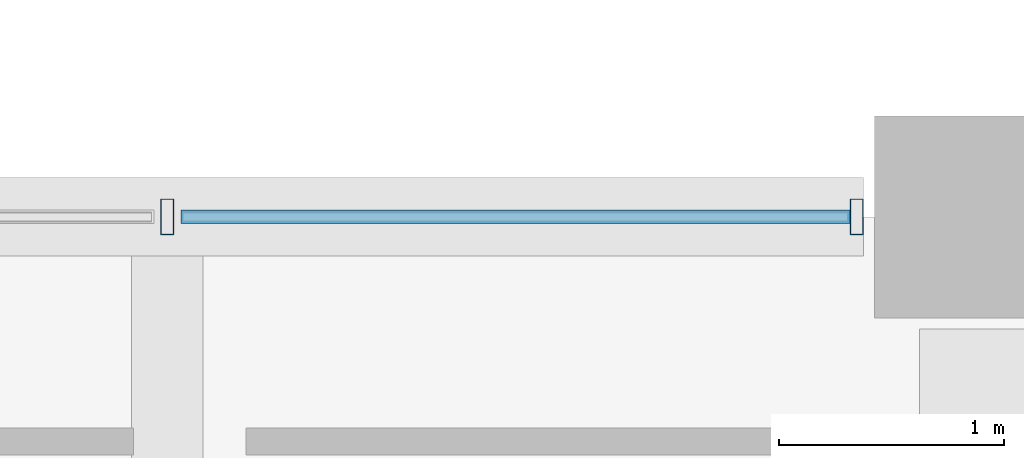
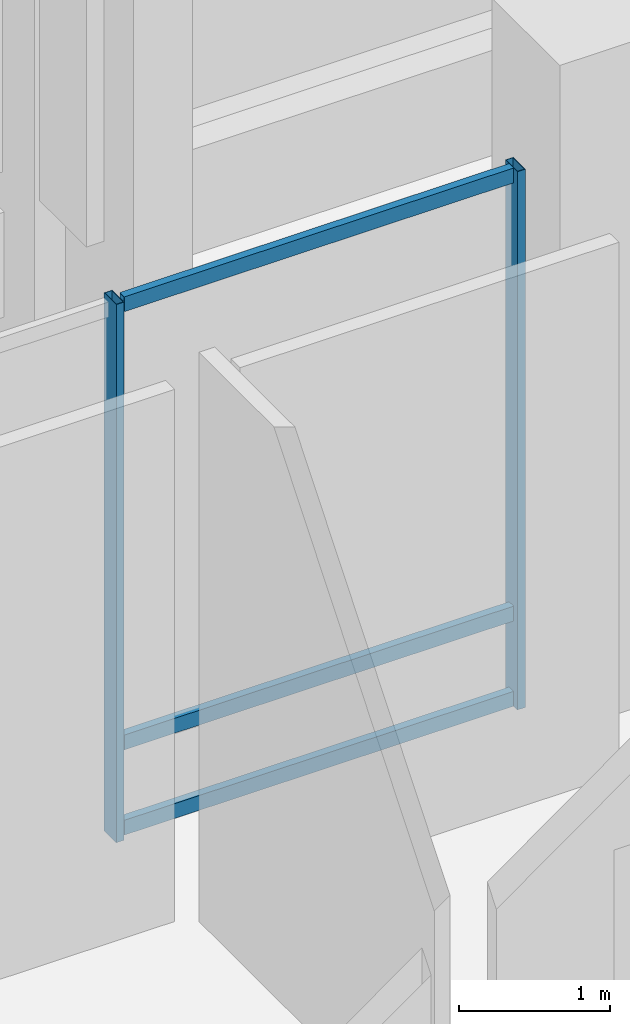
# One storey, part 103 of 192: 5 members, 1 element without a shape of its own.
"""IFC4 building model written with IfcOpenShell, lengths in metres."""

from ifc_helpers import new_model, si_unit, direction, frame, origin, origin_2d, place, context, subcontext, project, spatial, hollow_rectangle, extrude, material, material_profile, profile_set, type_object, element, aggregate, save


model = new_model("IFC4")

# Units and contexts
model_context = context("Model", 3, precision=1e-05, world=origin(), true_north=direction((0.0, 1.0)))
body_context = subcontext(model_context, "Body", "Model", "MODEL_VIEW")
ifc_project = project(units=[si_unit("LENGTHUNIT", "METRE"), si_unit("AREAUNIT", "SQUARE_METRE"), si_unit("VOLUMEUNIT", "CUBIC_METRE"), si_unit("PLANEANGLEUNIT", "RADIAN"), si_unit("MASSUNIT", "GRAM", prefix="KILO")], contexts=[model_context])

# Site, building, storey
site_placement = place(None, origin())
site = spatial("IfcSite", under=ifc_project, at=site_placement, CompositionType="ELEMENT")
building_placement = place(site_placement, origin())
building = spatial("IfcBuilding", under=site, at=building_placement, Name="Cendralis Lancet Convention Centre", CompositionType="ELEMENT")
storey_placement = place(building_placement, origin())
storey = spatial("IfcBuildingStorey", under=building, at=storey_placement, Name="L00", CompositionType="ELEMENT", Elevation=0.0)

# Curtain wall, members
ifc_material = material(Name="Anodised bronze architectural aluminium", Category="aluminium")
curtain_wall_type = type_object("IfcCurtainWallType", Name="ARC-CW-CL01", PredefinedType="USERDEFINED", material=ifc_material)
curtain_wall_placement = place(storey_placement, origin())
curtain_wall = element("IfcCurtainWall", 1, at=curtain_wall_placement, inside=storey, type_object=curtain_wall_type, Name="L00 Curtain Wall CW-CL1 #181", ObjectType="CURTAIN WALL", PredefinedType="USERDEFINED")
ifc_material_profile_1 = material_profile(ifc_material, hollow_rectangle(XDim=0.06005859375, YDim=0.159912109375, WallThickness=0.00390625, at=origin_2d()), Name="AL-MULL 60x160x4.0")
ifc_profile_set_1 = profile_set([ifc_material_profile_1], Name="Anodised bronze architectural aluminium")
member_type_1 = type_object("IfcMemberType", Name="ARC-CW-ML01", PredefinedType="MULLION", material=ifc_profile_set_1)
member_1_placement = place(storey_placement, frame((193.199951171875, 36.0, 0.0), z_axis=(0.0, 0.0, 1.0), x_axis=(1.0, 0.0, 0.0)))
member_1 = element("IfcMember", 2, at=member_1_placement, type_object=member_type_1, Name="Mullion CW2-CW-CL1-L00-181-M1", PredefinedType="MULLION", context=body_context, shape_type="SweptSolid", body=[
    extrude(hollow_rectangle(XDim=0.06005859375, YDim=0.159912109375, WallThickness=0.00390625, at=origin_2d()), origin(), (0.0, 0.0, 1.0), 4.35498046875),
])
member_2_placement = place(storey_placement, frame((196.27001953125, 36.0, 0.0), z_axis=(0.0, 0.0, 1.0), x_axis=(1.0, 0.0, 0.0)))
member_2 = element("IfcMember", 3, at=member_2_placement, type_object=member_type_1, Name="Mullion CW2-CW-CL1-L00-181-M2", PredefinedType="MULLION", context=body_context, shape_type="SweptSolid", body=[
    extrude(hollow_rectangle(XDim=0.06005859375, YDim=0.159912109375, WallThickness=0.00390625, at=origin_2d()), origin(), (0.0, 0.0, 1.0), 4.35498046875),
])
ifc_material_profile_2 = material_profile(ifc_material, hollow_rectangle(XDim=0.06005859375, YDim=0.1201171875, WallThickness=0.00390625, at=origin_2d()), Name="AL-TRAN 60x120x4.0")
ifc_profile_set_2 = profile_set([ifc_material_profile_2], Name="Anodised bronze architectural aluminium")
member_type_2 = type_object("IfcMemberType", Name="ARC-CW-TR01", PredefinedType="USERDEFINED", material=ifc_profile_set_2)
member_3_placement = place(storey_placement, frame((193.260009765625, 36.0, 0.06005859375), z_axis=(1.0, 0.0, 0.0), x_axis=(0.0, 1.0, 0.0)))
member_3 = element("IfcMember", 4, at=member_3_placement, type_object=member_type_2, Name="Transom CW2-CW-CL1-L00-181-T1BOT", ObjectType="TRANSOM", PredefinedType="USERDEFINED", context=body_context, shape_type="SweptSolid", body=[
    extrude(hollow_rectangle(XDim=0.06005859375, YDim=0.1201171875, WallThickness=0.00390625, at=origin_2d()), origin(), (0.0, 0.0, 1.0), 2.97998046875),
])
member_4_placement = place(storey_placement, frame((193.260009765625, 36.0, 0.75), z_axis=(1.0, 0.0, 0.0), x_axis=(0.0, 1.0, 0.0)))
member_4 = element("IfcMember", 5, at=member_4_placement, type_object=member_type_2, Name="Transom CW2-CW-CL1-L00-181-T1MID", ObjectType="TRANSOM", PredefinedType="USERDEFINED", context=body_context, shape_type="SweptSolid", body=[
    extrude(hollow_rectangle(XDim=0.06005859375, YDim=0.1201171875, WallThickness=0.00390625, at=origin_2d()), origin(), (0.0, 0.0, 1.0), 2.97998046875),
])
member_5_placement = place(storey_placement, frame((193.260009765625, 36.0, 4.294921875), z_axis=(1.0, 0.0, 0.0), x_axis=(0.0, 1.0, 0.0)))
member_5 = element("IfcMember", 6, at=member_5_placement, type_object=member_type_2, Name="Transom CW2-CW-CL1-L00-181-T1TOP", ObjectType="TRANSOM", PredefinedType="USERDEFINED", context=body_context, shape_type="SweptSolid", body=[
    extrude(hollow_rectangle(XDim=0.06005859375, YDim=0.1201171875, WallThickness=0.00390625, at=origin_2d()), origin(), (0.0, 0.0, 1.0), 2.97998046875),
])
aggregate(curtain_wall, [member_1, member_2, member_3, member_4, member_5])

save(model, "model.ifc")
